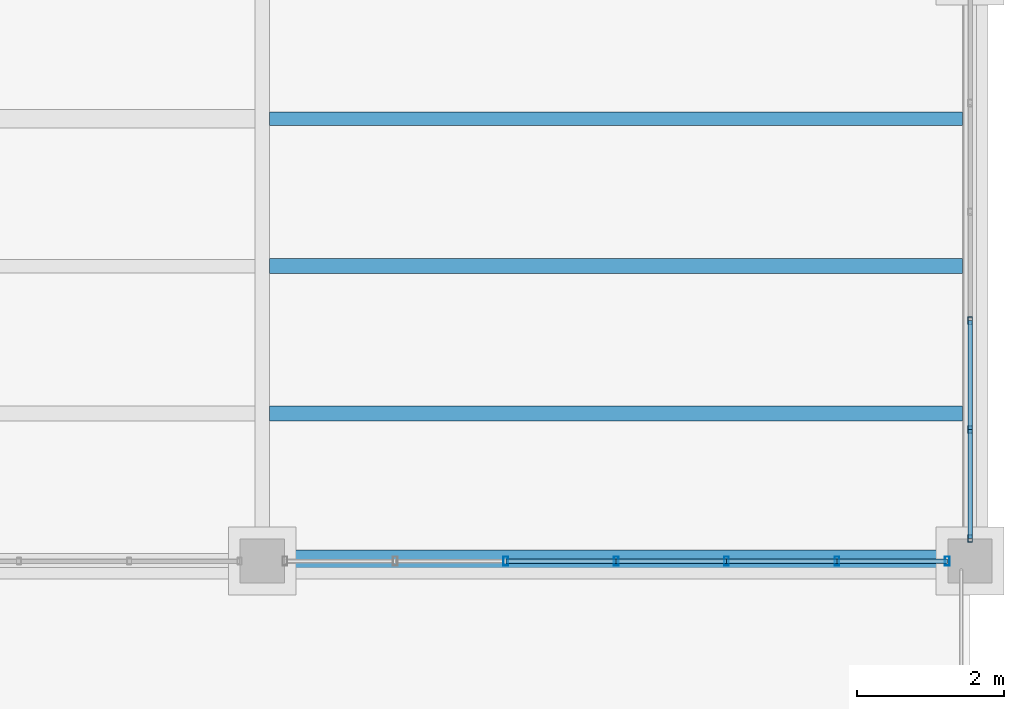
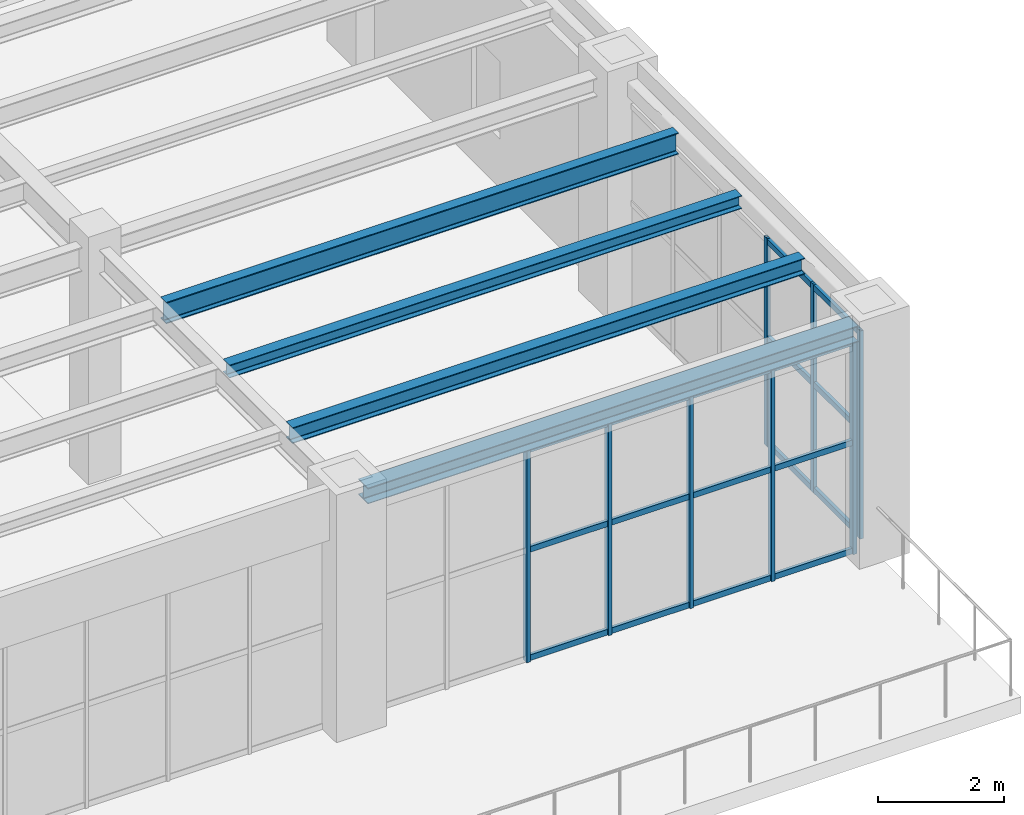
# One storey, part 37 of 83: 26 members, 4 beams, 2 elements without a shape of their own.
"""IFC4 building model written with IfcOpenShell, lengths in metres."""

from ifc_helpers import new_model, si_unit, direction, frame, origin, origin_2d, place, context, subcontext, project, spatial, hollow_rectangle, i_section, extrude, material, material_profile, profile_set, type_object, element, aggregate, save


model = new_model("IFC4")

# Units and contexts
model_context = context("Model", 3, precision=1e-05, world=origin(), true_north=direction((0.0, 1.0)))
body_context = subcontext(model_context, "Body", "Model", "MODEL_VIEW")
ifc_project = project(units=[si_unit("LENGTHUNIT", "METRE"), si_unit("AREAUNIT", "SQUARE_METRE"), si_unit("VOLUMEUNIT", "CUBIC_METRE"), si_unit("PLANEANGLEUNIT", "RADIAN"), si_unit("MASSUNIT", "GRAM", prefix="KILO")], contexts=[model_context])

# Site, building, storey
site_placement = place(None, origin())
site = spatial("IfcSite", under=ifc_project, at=site_placement, CompositionType="ELEMENT")
building_placement = place(site_placement, origin())
building = spatial("IfcBuilding", under=site, at=building_placement, Name="Mavantir Sound Aquarium", CompositionType="ELEMENT")
storey_placement = place(building_placement, frame((0.0, 0.0, 10.5)))
storey = spatial("IfcBuildingStorey", under=building, at=storey_placement, Name="L02", CompositionType="ELEMENT", Elevation=10.5)

# Beams
ifc_material_1 = material(Name="Structural Steel ASTM A992 Gr50", Category="steel")
ifc_material_profile_1 = material_profile(ifc_material_1, i_section(OverallWidth=0.202880859375, OverallDepth=0.251953125, WebThickness=0.008056640625, FlangeThickness=0.013427734375, FilletRadius=0.011962890625, at=origin_2d()), Name="W250X58")
ifc_profile_set_1 = profile_set([ifc_material_profile_1], Name="Structural Steel ASTM A992 Gr50")
beam_type_1 = type_object("IfcBeamType", Name="BM-W250X58-I", PredefinedType="JOIST", material=ifc_profile_set_1)
beam_1_placement = place(storey_placement, frame((165.697021484375, 44.800048828125, 4.360107421875), z_axis=(1.0, 0.0, 0.0), x_axis=(0.0, 1.0, 0.0)))
element("IfcBeam", 1, at=beam_1_placement, inside=storey, type_object=beam_type_1, Name="L02 secondary floor joist SJ-25 904", PredefinedType="JOIST", context=body_context, shape_type="SweptSolid", body=[
    extrude(i_section(OverallWidth=0.202880859375, OverallDepth=0.251953125, WebThickness=0.008056640625, FlangeThickness=0.013427734375, FilletRadius=0.011962890625, at=origin_2d()), origin(), (0.0, 0.0, 1.0), 9.403076171875),
])
ifc_material_profile_2 = material_profile(ifc_material_1, i_section(OverallWidth=0.205078125, OverallDepth=0.31005859375, WebThickness=0.009521484375, FlangeThickness=0.016357421875, FilletRadius=0.012939453125, at=origin_2d()), Name="W310X74")
ifc_profile_set_2 = profile_set([ifc_material_profile_2], Name="Structural Steel ASTM A992 Gr50")
beam_type_2 = type_object("IfcBeamType", Name="BM-W310X74-I", PredefinedType="JOIST", material=ifc_profile_set_2)
beam_2_placement = place(storey_placement, frame((165.697021484375, 42.800048828125, 4.3310546875), z_axis=(1.0, 0.0, 0.0), x_axis=(0.0, 1.0, 0.0)))
element("IfcBeam", 2, at=beam_2_placement, inside=storey, type_object=beam_type_2, Name="L02 secondary floor joist SJ-31 903", PredefinedType="JOIST", context=body_context, shape_type="SweptSolid", body=[
    extrude(i_section(OverallWidth=0.205078125, OverallDepth=0.31005859375, WebThickness=0.009521484375, FlangeThickness=0.016357421875, FilletRadius=0.012939453125, at=origin_2d()), origin(), (0.0, 0.0, 1.0), 9.403076171875),
])
ifc_material_profile_3 = material_profile(ifc_material_1, i_section(OverallWidth=0.304931640625, OverallDepth=0.30810546875, WebThickness=0.010009765625, FlangeThickness=0.015380859375, FilletRadius=0.014892578125, at=origin_2d()), Name="W310X97")
ifc_profile_set_3 = profile_set([ifc_material_profile_3], Name="Structural Steel ASTM A992 Gr50")
beam_type_3 = type_object("IfcBeamType", Name="BM-W310X97-E", PredefinedType="SPANDREL", material=ifc_profile_set_3)
beam_3_placement = place(storey_placement, frame((165.89990234375, 40.800048828125, 4.33203125), z_axis=(1.0, 0.0, 0.0), x_axis=(0.0, 1.0, 0.0)))
element("IfcBeam", 3, at=beam_3_placement, inside=storey, type_object=beam_type_3, Name="L02 primary beam SS-31A 1521", PredefinedType="SPANDREL", context=body_context, shape_type="SweptSolid", body=[
    extrude(i_section(OverallWidth=0.304931640625, OverallDepth=0.30810546875, WebThickness=0.010009765625, FlangeThickness=0.015380859375, FilletRadius=0.014892578125, at=origin_2d()), origin(), (0.0, 0.0, 1.0), 9.0),
])
ifc_material_profile_4 = material_profile(ifc_material_1, i_section(OverallWidth=0.180908203125, OverallDepth=0.4169921875, WebThickness=0.010986328125, FlangeThickness=0.018310546875, FilletRadius=0.014892578125, at=origin_2d()), Name="W410X85")
ifc_profile_set_4 = profile_set([ifc_material_profile_4], Name="Structural Steel ASTM A992 Gr50")
beam_type_4 = type_object("IfcBeamType", Name="BM-W410X85-I", PredefinedType="JOIST", material=ifc_profile_set_4)
beam_4_placement = place(storey_placement, frame((165.697021484375, 46.800048828125, 4.277587890625), z_axis=(1.0, 0.0, 0.0), x_axis=(0.0, 1.0, 0.0)))
element("IfcBeam", 4, at=beam_4_placement, inside=storey, type_object=beam_type_4, Name="L02 secondary floor joist SJ-41 905", PredefinedType="JOIST", context=body_context, shape_type="SweptSolid", body=[
    extrude(i_section(OverallWidth=0.180908203125, OverallDepth=0.4169921875, WebThickness=0.010986328125, FlangeThickness=0.018310546875, FilletRadius=0.014892578125, at=origin_2d()), origin(), (0.0, 0.0, 1.0), 9.403076171875),
])

# Curtain wall, members
ifc_material_2 = material(Name="Anodised Marine Aluminium and Low-E Glass", Category="aluminium")
curtain_wall_type_1 = type_object("IfcCurtainWallType", Name="CW-T19", PredefinedType="USERDEFINED", material=ifc_material_2)
curtain_wall_1_placement = place(storey_placement, origin())
curtain_wall_1 = element("IfcCurtainWall", 5, at=curtain_wall_1_placement, inside=storey, type_object=curtain_wall_type_1, Name="L02 unitised curtain wall CW-19 139", ObjectType="UNITISED GLAZING", PredefinedType="USERDEFINED")
ifc_material_3 = material(Name="Anodised Marine Aluminium 6063-T6", Category="aluminium")
ifc_material_profile_5 = material_profile(ifc_material_3, hollow_rectangle(XDim=0.06005859375, YDim=0.10009765625, WallThickness=0.00390625, at=origin_2d()), Name="ALU-MULLION-100X60")
ifc_profile_set_5 = profile_set([ifc_material_profile_5], Name="Anodised Marine Aluminium 6063-T6")
member_type_1 = type_object("IfcMemberType", Name="CW-MUL-100", PredefinedType="MULLION", material=ifc_profile_set_5)
member_1_placement = place(storey_placement, frame((175.199951171875, 41.10791015625, 0.0), z_axis=(0.0, 0.0, 1.0), x_axis=(1.0, 0.0, 0.0)))
member_1 = element("IfcMember", 6, at=member_1_placement, type_object=member_type_1, Name="CW-L02-139 vertical mullion 1", PredefinedType="MULLION", context=body_context, shape_type="SweptSolid", body=[
    extrude(hollow_rectangle(XDim=0.06005859375, YDim=0.10009765625, WallThickness=0.00390625, at=origin_2d()), origin(), (0.0, 0.0, 1.0), 4.0390625),
])
member_2_placement = place(storey_placement, frame((175.199951171875, 42.584716796875, 0.0), z_axis=(0.0, 0.0, 1.0), x_axis=(1.0, 0.0, 0.0)))
member_2 = element("IfcMember", 7, at=member_2_placement, type_object=member_type_1, Name="CW-L02-139 vertical mullion 2", PredefinedType="MULLION", context=body_context, shape_type="SweptSolid", body=[
    extrude(hollow_rectangle(XDim=0.06005859375, YDim=0.10009765625, WallThickness=0.00390625, at=origin_2d()), origin(), (0.0, 0.0, 1.0), 4.0390625),
])
member_3_placement = place(storey_placement, frame((175.199951171875, 44.0615234375, 0.0), z_axis=(0.0, 0.0, 1.0), x_axis=(1.0, 0.0, 0.0)))
member_3 = element("IfcMember", 8, at=member_3_placement, type_object=member_type_1, Name="CW-L02-139 vertical mullion 3", PredefinedType="MULLION", context=body_context, shape_type="SweptSolid", body=[
    extrude(hollow_rectangle(XDim=0.06005859375, YDim=0.10009765625, WallThickness=0.00390625, at=origin_2d()), origin(), (0.0, 0.0, 1.0), 4.0390625),
])

curtain_wall_type_2 = type_object("IfcCurtainWallType", Name="CW-T18", PredefinedType="USERDEFINED", material=ifc_material_2)
curtain_wall_2_placement = place(storey_placement, origin())
curtain_wall_2 = element("IfcCurtainWall", 9, at=curtain_wall_2_placement, inside=storey, type_object=curtain_wall_type_2, Name="L02 unitised curtain wall CW-18 138", ObjectType="UNITISED GLAZING", PredefinedType="USERDEFINED")
ifc_material_profile_6 = material_profile(ifc_material_3, hollow_rectangle(XDim=0.06494140625, YDim=0.1201171875, WallThickness=0.00390625, at=origin_2d()), Name="ALU-MULLION-120X65")
ifc_profile_set_6 = profile_set([ifc_material_profile_6], Name="Anodised Marine Aluminium 6063-T6")
member_type_2 = type_object("IfcMemberType", Name="CW-MUL-120", PredefinedType="MULLION", material=ifc_profile_set_6)
member_4_placement = place(storey_placement, frame((168.902587890625, 40.800048828125, 0.0), z_axis=(0.0, 0.0, 1.0), x_axis=(1.0, 0.0, 0.0)))
member_4 = element("IfcMember", 10, at=member_4_placement, type_object=member_type_2, Name="CW-L02-138 vertical mullion 3", PredefinedType="MULLION", context=body_context, shape_type="SweptSolid", body=[
    extrude(hollow_rectangle(XDim=0.06494140625, YDim=0.1201171875, WallThickness=0.00390625, at=origin_2d()), origin(), (0.0, 0.0, 1.0), 4.14794921875),
])
member_5_placement = place(storey_placement, frame((170.39990234375, 40.800048828125, 0.0), z_axis=(0.0, 0.0, 1.0), x_axis=(1.0, 0.0, 0.0)))
member_5 = element("IfcMember", 11, at=member_5_placement, type_object=member_type_2, Name="CW-L02-138 vertical mullion 4", PredefinedType="MULLION", context=body_context, shape_type="SweptSolid", body=[
    extrude(hollow_rectangle(XDim=0.06494140625, YDim=0.1201171875, WallThickness=0.00390625, at=origin_2d()), origin(), (0.0, 0.0, 1.0), 4.14794921875),
])
member_6_placement = place(storey_placement, frame((171.897216796875, 40.800048828125, 0.0), z_axis=(0.0, 0.0, 1.0), x_axis=(1.0, 0.0, 0.0)))
member_6 = element("IfcMember", 12, at=member_6_placement, type_object=member_type_2, Name="CW-L02-138 vertical mullion 5", PredefinedType="MULLION", context=body_context, shape_type="SweptSolid", body=[
    extrude(hollow_rectangle(XDim=0.06494140625, YDim=0.1201171875, WallThickness=0.00390625, at=origin_2d()), origin(), (0.0, 0.0, 1.0), 4.14794921875),
])
member_7_placement = place(storey_placement, frame((173.394775390625, 40.800048828125, 0.0), z_axis=(0.0, 0.0, 1.0), x_axis=(1.0, 0.0, 0.0)))
member_7 = element("IfcMember", 13, at=member_7_placement, type_object=member_type_2, Name="CW-L02-138 vertical mullion 6", PredefinedType="MULLION", context=body_context, shape_type="SweptSolid", body=[
    extrude(hollow_rectangle(XDim=0.06494140625, YDim=0.1201171875, WallThickness=0.00390625, at=origin_2d()), origin(), (0.0, 0.0, 1.0), 4.14794921875),
])
member_8_placement = place(storey_placement, frame((174.89208984375, 40.800048828125, 0.0), z_axis=(0.0, 0.0, 1.0), x_axis=(1.0, 0.0, 0.0)))
member_8 = element("IfcMember", 14, at=member_8_placement, type_object=member_type_2, Name="CW-L02-138 vertical mullion 7", PredefinedType="MULLION", context=body_context, shape_type="SweptSolid", body=[
    extrude(hollow_rectangle(XDim=0.06494140625, YDim=0.1201171875, WallThickness=0.00390625, at=origin_2d()), origin(), (0.0, 0.0, 1.0), 4.14794921875),
])
ifc_material_profile_7 = material_profile(ifc_material_3, hollow_rectangle(XDim=0.06005859375, YDim=0.110107421875, WallThickness=0.00390625, at=origin_2d()), Name="ALU-TRANSOM-110X60")
ifc_profile_set_7 = profile_set([ifc_material_profile_7], Name="Anodised Marine Aluminium 6063-T6")
member_type_3 = type_object("IfcMemberType", Name="CW-TRN-110", PredefinedType="USERDEFINED", material=ifc_profile_set_7)
member_9_placement = place(storey_placement, frame((168.902587890625, 40.800048828125, 0.054931640625), z_axis=(1.0, 0.0, 0.0), x_axis=(0.0, 1.0, 0.0)))
member_9 = element("IfcMember", 15, at=member_9_placement, type_object=member_type_3, Name="CW-L02-138 transom 3.1", ObjectType="TRANSOM", PredefinedType="USERDEFINED", context=body_context, shape_type="SweptSolid", body=[
    extrude(hollow_rectangle(XDim=0.06005859375, YDim=0.110107421875, WallThickness=0.00390625, at=origin_2d()), origin(), (0.0, 0.0, 1.0), 1.497314453125),
])
member_10_placement = place(storey_placement, frame((168.902587890625, 40.800048828125, 2.156982421875), z_axis=(1.0, 0.0, 0.0), x_axis=(0.0, 1.0, 0.0)))
member_10 = element("IfcMember", 16, at=member_10_placement, type_object=member_type_3, Name="CW-L02-138 transom 3.2", ObjectType="TRANSOM", PredefinedType="USERDEFINED", context=body_context, shape_type="SweptSolid", body=[
    extrude(hollow_rectangle(XDim=0.06005859375, YDim=0.110107421875, WallThickness=0.00390625, at=origin_2d()), origin(), (0.0, 0.0, 1.0), 1.497314453125),
])
member_11_placement = place(storey_placement, frame((168.902587890625, 40.800048828125, 4.093017578125), z_axis=(1.0, 0.0, 0.0), x_axis=(0.0, 1.0, 0.0)))
member_11 = element("IfcMember", 17, at=member_11_placement, type_object=member_type_3, Name="CW-L02-138 transom 3.3", ObjectType="TRANSOM", PredefinedType="USERDEFINED", context=body_context, shape_type="SweptSolid", body=[
    extrude(hollow_rectangle(XDim=0.06005859375, YDim=0.110107421875, WallThickness=0.00390625, at=origin_2d()), origin(), (0.0, 0.0, 1.0), 1.497314453125),
])
member_12_placement = place(storey_placement, frame((170.39990234375, 40.800048828125, 0.054931640625), z_axis=(1.0, 0.0, 0.0), x_axis=(0.0, 1.0, 0.0)))
member_12 = element("IfcMember", 18, at=member_12_placement, type_object=member_type_3, Name="CW-L02-138 transom 4.1", ObjectType="TRANSOM", PredefinedType="USERDEFINED", context=body_context, shape_type="SweptSolid", body=[
    extrude(hollow_rectangle(XDim=0.06005859375, YDim=0.110107421875, WallThickness=0.00390625, at=origin_2d()), origin(), (0.0, 0.0, 1.0), 1.497314453125),
])
member_13_placement = place(storey_placement, frame((170.39990234375, 40.800048828125, 2.156982421875), z_axis=(1.0, 0.0, 0.0), x_axis=(0.0, 1.0, 0.0)))
member_13 = element("IfcMember", 19, at=member_13_placement, type_object=member_type_3, Name="CW-L02-138 transom 4.2", ObjectType="TRANSOM", PredefinedType="USERDEFINED", context=body_context, shape_type="SweptSolid", body=[
    extrude(hollow_rectangle(XDim=0.06005859375, YDim=0.110107421875, WallThickness=0.00390625, at=origin_2d()), origin(), (0.0, 0.0, 1.0), 1.497314453125),
])
member_14_placement = place(storey_placement, frame((170.39990234375, 40.800048828125, 4.093017578125), z_axis=(1.0, 0.0, 0.0), x_axis=(0.0, 1.0, 0.0)))
member_14 = element("IfcMember", 20, at=member_14_placement, type_object=member_type_3, Name="CW-L02-138 transom 4.3", ObjectType="TRANSOM", PredefinedType="USERDEFINED", context=body_context, shape_type="SweptSolid", body=[
    extrude(hollow_rectangle(XDim=0.06005859375, YDim=0.110107421875, WallThickness=0.00390625, at=origin_2d()), origin(), (0.0, 0.0, 1.0), 1.497314453125),
])
member_15_placement = place(storey_placement, frame((171.897216796875, 40.800048828125, 0.054931640625), z_axis=(1.0, 0.0, 0.0), x_axis=(0.0, 1.0, 0.0)))
member_15 = element("IfcMember", 21, at=member_15_placement, type_object=member_type_3, Name="CW-L02-138 transom 5.1", ObjectType="TRANSOM", PredefinedType="USERDEFINED", context=body_context, shape_type="SweptSolid", body=[
    extrude(hollow_rectangle(XDim=0.06005859375, YDim=0.110107421875, WallThickness=0.00390625, at=origin_2d()), origin(), (0.0, 0.0, 1.0), 1.49755859375),
])
member_16_placement = place(storey_placement, frame((171.897216796875, 40.800048828125, 2.156982421875), z_axis=(1.0, 0.0, 0.0), x_axis=(0.0, 1.0, 0.0)))
member_16 = element("IfcMember", 22, at=member_16_placement, type_object=member_type_3, Name="CW-L02-138 transom 5.2", ObjectType="TRANSOM", PredefinedType="USERDEFINED", context=body_context, shape_type="SweptSolid", body=[
    extrude(hollow_rectangle(XDim=0.06005859375, YDim=0.110107421875, WallThickness=0.00390625, at=origin_2d()), origin(), (0.0, 0.0, 1.0), 1.49755859375),
])
member_17_placement = place(storey_placement, frame((171.897216796875, 40.800048828125, 4.093017578125), z_axis=(1.0, 0.0, 0.0), x_axis=(0.0, 1.0, 0.0)))
member_17 = element("IfcMember", 23, at=member_17_placement, type_object=member_type_3, Name="CW-L02-138 transom 5.3", ObjectType="TRANSOM", PredefinedType="USERDEFINED", context=body_context, shape_type="SweptSolid", body=[
    extrude(hollow_rectangle(XDim=0.06005859375, YDim=0.110107421875, WallThickness=0.00390625, at=origin_2d()), origin(), (0.0, 0.0, 1.0), 1.49755859375),
])
member_18_placement = place(storey_placement, frame((173.394775390625, 40.800048828125, 0.054931640625), z_axis=(1.0, 0.0, 0.0), x_axis=(0.0, 1.0, 0.0)))
member_18 = element("IfcMember", 24, at=member_18_placement, type_object=member_type_3, Name="CW-L02-138 transom 6.1", ObjectType="TRANSOM", PredefinedType="USERDEFINED", context=body_context, shape_type="SweptSolid", body=[
    extrude(hollow_rectangle(XDim=0.06005859375, YDim=0.110107421875, WallThickness=0.00390625, at=origin_2d()), origin(), (0.0, 0.0, 1.0), 1.497314453125),
])
member_19_placement = place(storey_placement, frame((173.394775390625, 40.800048828125, 2.156982421875), z_axis=(1.0, 0.0, 0.0), x_axis=(0.0, 1.0, 0.0)))
member_19 = element("IfcMember", 25, at=member_19_placement, type_object=member_type_3, Name="CW-L02-138 transom 6.2", ObjectType="TRANSOM", PredefinedType="USERDEFINED", context=body_context, shape_type="SweptSolid", body=[
    extrude(hollow_rectangle(XDim=0.06005859375, YDim=0.110107421875, WallThickness=0.00390625, at=origin_2d()), origin(), (0.0, 0.0, 1.0), 1.497314453125),
])
member_20_placement = place(storey_placement, frame((173.394775390625, 40.800048828125, 4.093017578125), z_axis=(1.0, 0.0, 0.0), x_axis=(0.0, 1.0, 0.0)))
member_20 = element("IfcMember", 26, at=member_20_placement, type_object=member_type_3, Name="CW-L02-138 transom 6.3", ObjectType="TRANSOM", PredefinedType="USERDEFINED", context=body_context, shape_type="SweptSolid", body=[
    extrude(hollow_rectangle(XDim=0.06005859375, YDim=0.110107421875, WallThickness=0.00390625, at=origin_2d()), origin(), (0.0, 0.0, 1.0), 1.497314453125),
])
aggregate(curtain_wall_2, [member_4, member_5, member_6, member_7, member_8, member_9, member_10, member_11, member_12, member_13, member_14, member_15, member_16, member_17, member_18, member_19, member_20])

# Member
member_21_placement = place(storey_placement, frame((175.199951171875, 41.10791015625, 0.054931640625), z_axis=(0.0, 1.0, 0.0), x_axis=(-1.0, 0.0, 0.0)))
member_21 = element("IfcMember", 27, at=member_21_placement, type_object=member_type_3, Name="CW-L02-139 transom 1.1", ObjectType="TRANSOM", PredefinedType="USERDEFINED", context=body_context, shape_type="SweptSolid", body=[
    extrude(hollow_rectangle(XDim=0.06005859375, YDim=0.110107421875, WallThickness=0.00390625, at=origin_2d()), origin(), (0.0, 0.0, 1.0), 1.476806640625),
])

member_22_placement = place(storey_placement, frame((175.199951171875, 41.10791015625, 2.100341796875), z_axis=(0.0, 1.0, 0.0), x_axis=(-1.0, 0.0, 0.0)))
member_22 = element("IfcMember", 28, at=member_22_placement, type_object=member_type_3, Name="CW-L02-139 transom 1.2", ObjectType="TRANSOM", PredefinedType="USERDEFINED", context=body_context, shape_type="SweptSolid", body=[
    extrude(hollow_rectangle(XDim=0.06005859375, YDim=0.110107421875, WallThickness=0.00390625, at=origin_2d()), origin(), (0.0, 0.0, 1.0), 1.476806640625),
])

member_23_placement = place(storey_placement, frame((175.199951171875, 41.10791015625, 3.98388671875), z_axis=(0.0, 1.0, 0.0), x_axis=(-1.0, 0.0, 0.0)))
member_23 = element("IfcMember", 29, at=member_23_placement, type_object=member_type_3, Name="CW-L02-139 transom 1.3", ObjectType="TRANSOM", PredefinedType="USERDEFINED", context=body_context, shape_type="SweptSolid", body=[
    extrude(hollow_rectangle(XDim=0.06005859375, YDim=0.110107421875, WallThickness=0.00390625, at=origin_2d()), origin(), (0.0, 0.0, 1.0), 1.476806640625),
])

member_24_placement = place(storey_placement, frame((175.199951171875, 42.584716796875, 0.054931640625), z_axis=(0.0, 1.0, 0.0), x_axis=(-1.0, 0.0, 0.0)))
member_24 = element("IfcMember", 30, at=member_24_placement, type_object=member_type_3, Name="CW-L02-139 transom 2.1", ObjectType="TRANSOM", PredefinedType="USERDEFINED", context=body_context, shape_type="SweptSolid", body=[
    extrude(hollow_rectangle(XDim=0.06005859375, YDim=0.110107421875, WallThickness=0.00390625, at=origin_2d()), origin(), (0.0, 0.0, 1.0), 1.476806640625),
])

member_25_placement = place(storey_placement, frame((175.199951171875, 42.584716796875, 2.100341796875), z_axis=(0.0, 1.0, 0.0), x_axis=(-1.0, 0.0, 0.0)))
member_25 = element("IfcMember", 31, at=member_25_placement, type_object=member_type_3, Name="CW-L02-139 transom 2.2", ObjectType="TRANSOM", PredefinedType="USERDEFINED", context=body_context, shape_type="SweptSolid", body=[
    extrude(hollow_rectangle(XDim=0.06005859375, YDim=0.110107421875, WallThickness=0.00390625, at=origin_2d()), origin(), (0.0, 0.0, 1.0), 1.476806640625),
])

member_26_placement = place(storey_placement, frame((175.199951171875, 42.584716796875, 3.98388671875), z_axis=(0.0, 1.0, 0.0), x_axis=(-1.0, 0.0, 0.0)))
member_26 = element("IfcMember", 32, at=member_26_placement, type_object=member_type_3, Name="CW-L02-139 transom 2.3", ObjectType="TRANSOM", PredefinedType="USERDEFINED", context=body_context, shape_type="SweptSolid", body=[
    extrude(hollow_rectangle(XDim=0.06005859375, YDim=0.110107421875, WallThickness=0.00390625, at=origin_2d()), origin(), (0.0, 0.0, 1.0), 1.476806640625),
])

aggregate(curtain_wall_1, [member_1, member_2, member_3, member_21, member_22, member_23, member_24, member_25, member_26])

save(model, "model.ifc")
